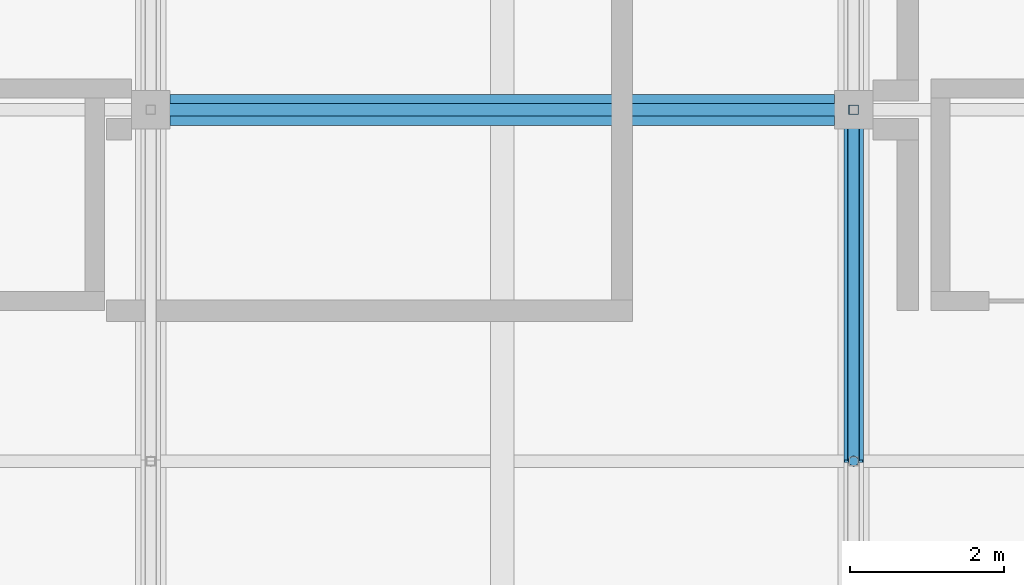
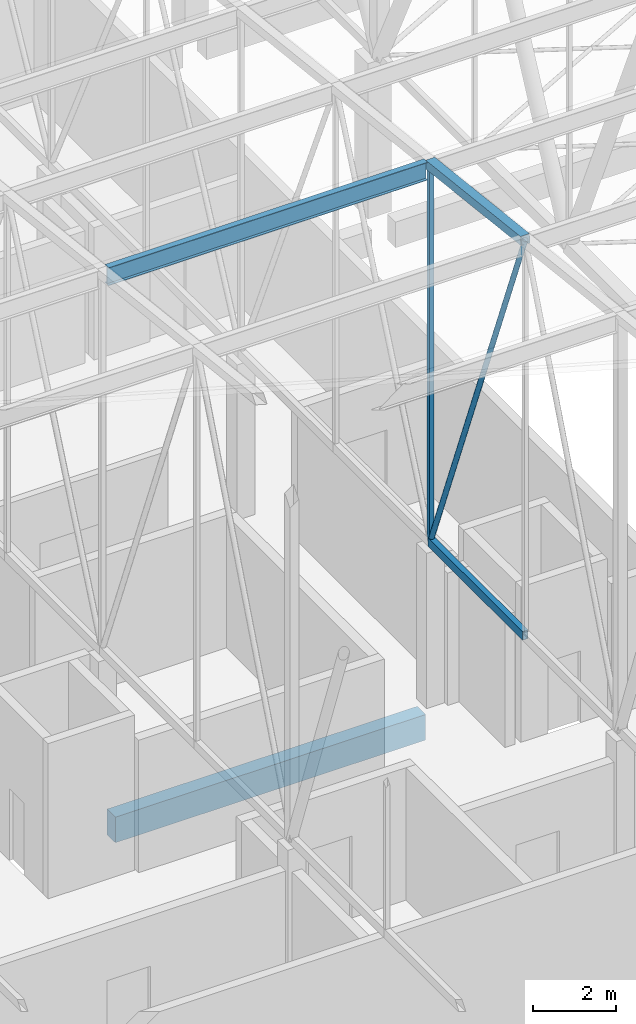
# One storey, part 212 of 500: 5 members, 1 beam.
"""IFC4 building model written with IfcOpenShell, lengths in metres."""

from ifc_helpers import new_model, si_unit, direction, frame, origin, origin_2d, place, context, subcontext, project, spatial, rectangle, hollow_rectangle, hollow_circle, i_section, extrude, material, material_profile, profile_set, type_object, element, save


model = new_model("IFC4")

# Units and contexts
model_context = context("Model", 3, precision=1e-05, world=origin(), true_north=direction((0.0, 1.0)))
body_context = subcontext(model_context, "Body", "Model", "MODEL_VIEW")
ifc_project = project(units=[si_unit("LENGTHUNIT", "METRE"), si_unit("AREAUNIT", "SQUARE_METRE"), si_unit("VOLUMEUNIT", "CUBIC_METRE"), si_unit("PLANEANGLEUNIT", "RADIAN"), si_unit("MASSUNIT", "GRAM", prefix="KILO")], contexts=[model_context])

# Site, building, storey
site_placement = place(None, origin())
site = spatial("IfcSite", under=ifc_project, at=site_placement, CompositionType="ELEMENT")
building_placement = place(site_placement, origin())
building = spatial("IfcBuilding", under=site, at=building_placement, Name="Shirokan Park Arena", CompositionType="ELEMENT")
storey_placement = place(building_placement, frame((0.0, 0.0, 29.1201171875)))
storey = spatial("IfcBuildingStorey", under=building, at=storey_placement, Name="L06", CompositionType="ELEMENT", Elevation=29.1201171875)

# Members
ifc_material_1 = material(Name="Steel ASTM A500 Grade C", Category="steel")
ifc_material_profile_1 = material_profile(ifc_material_1, hollow_rectangle(XDim=0.152099609375, YDim=0.25390625, WallThickness=0.009521484375, at=origin_2d()), Name="HSS254X152.4X9.5")
ifc_profile_set_1 = profile_set([ifc_material_profile_1], Name="Steel ASTM A500 Grade C")
member_type_1 = type_object("IfcMemberType", Name="Bottom chord HSS254X152.4X9.5", PredefinedType="CHORD", material=ifc_profile_set_1)
member_1_placement = place(storey_placement, frame((36.39990234375, 77.35009765625, 4.677001953125), z_axis=(0.0, 1.0, 0.0), x_axis=(-1.0, 0.0, 0.0)))
element("IfcMember", 1, at=member_1_placement, inside=storey, type_object=member_type_1, Name="Truss T05 bottom chord 20", PredefinedType="CHORD", context=body_context, shape_type="SweptSolid", body=[
    extrude(hollow_rectangle(XDim=0.152099609375, YDim=0.25390625, WallThickness=0.009521484375, at=origin_2d()), origin(), (0.0, 0.0, 1.0), 4.5498046875),
])
ifc_material_2 = material(Name="Steel ASTM A992", Category="steel")
ifc_material_profile_2 = material_profile(ifc_material_2, i_section(OverallWidth=0.166015625, OverallDepth=0.528076171875, WebThickness=0.009765625, FlangeThickness=0.013671875, at=origin_2d()), Name="W530X74")
ifc_profile_set_2 = profile_set([ifc_material_profile_2], Name="Steel ASTM A992")
member_type_2 = type_object("IfcMemberType", Name="Purlin W530X74", PredefinedType="PURLIN", material=ifc_profile_set_2)
member_2_placement = place(storey_placement, frame((27.427001953125, 81.89990234375, 15.60595703125), z_axis=(1.0, 0.0, 0.0), x_axis=(0.0, 1.0, 0.0)))
element("IfcMember", 2, at=member_2_placement, inside=storey, type_object=member_type_2, Name="Purlin 21 bay 4", PredefinedType="PURLIN", context=body_context, shape_type="SweptSolid", body=[
    extrude(i_section(OverallWidth=0.166015625, OverallDepth=0.528076171875, WebThickness=0.009765625, FlangeThickness=0.013671875, at=origin_2d()), origin(), (0.0, 0.0, 1.0), 8.845947265625),
])

# Beam
ifc_material_3 = material(Name="Concrete C35", Category="concrete")
ifc_material_profile_3 = material_profile(ifc_material_3, rectangle(XDim=0.39990234375, YDim=0.75, at=origin_2d()), Name="400x750")
ifc_profile_set_3 = profile_set([ifc_material_profile_3], Name="Concrete C35")
beam_type = type_object("IfcBeamType", Name="RC girder 400x750", PredefinedType="BEAM", material=ifc_profile_set_3)
beam_placement = place(storey_placement, frame((27.550048828125, 81.89990234375, -0.5751953125), z_axis=(1.0, 0.0, 0.0), x_axis=(0.0, 1.0, 0.0)))
element("IfcBeam", 3, at=beam_placement, inside=storey, type_object=beam_type, Name="Girder 4K-5K L06", PredefinedType="BEAM", context=body_context, shape_type="SweptSolid", body=[
    extrude(rectangle(XDim=0.39990234375, YDim=0.75, at=origin_2d()), origin(), (0.0, 0.0, 1.0), 8.599853515625),
])

# Members
ifc_material_profile_4 = material_profile(ifc_material_1, hollow_rectangle(XDim=0.25390625, YDim=0.25390625, WallThickness=0.009521484375, at=origin_2d()), Name="HSS254X254X9.5")
ifc_profile_set_4 = profile_set([ifc_material_profile_4], Name="Steel ASTM A500 Grade C")
member_type_3 = type_object("IfcMemberType", Name="Top chord HSS254X254X9.5", PredefinedType="CHORD", material=ifc_profile_set_4)
member_3_placement = place(storey_placement, frame((36.39990234375, 77.35009765625, 16.262939453125), z_axis=(0.0, 0.993531641592, -0.11355561261), x_axis=(-1.0, 0.0, 0.0)))
element("IfcMember", 4, at=member_3_placement, inside=storey, type_object=member_type_3, Name="Truss T05 top chord 20", PredefinedType="CHORD", context=body_context, shape_type="SweptSolid", body=[
    extrude(hollow_rectangle(XDim=0.25390625, YDim=0.25390625, WallThickness=0.009521484375, at=origin_2d()), origin(), (0.0, 0.0, 1.0), 4.579345703125),
])
ifc_material_profile_5 = material_profile(ifc_material_1, hollow_circle(Radius=0.070556640625, WallThickness=0.006591796875, at=origin_2d()), Name="HSS141.3X6.6")
ifc_profile_set_5 = profile_set([ifc_material_profile_5], Name="Steel ASTM A500 Grade C")
member_type_4 = type_object("IfcMemberType", Name="Truss diagonal HSS141.3X6.6", PredefinedType="BRACE", material=ifc_profile_set_5)
member_4_placement = place(storey_placement, frame((36.39990234375, 77.35009765625, 16.262939453125), z_axis=(0.0, 0.365526146051, -0.930801072493), x_axis=(-1.0, 0.0, 0.0)))
element("IfcMember", 5, at=member_4_placement, inside=storey, type_object=member_type_4, Name="Truss T05 diagonal 20", PredefinedType="BRACE", context=body_context, shape_type="SweptSolid", body=[
    extrude(hollow_circle(Radius=0.070556640625, WallThickness=0.006591796875, at=origin_2d()), origin(), (0.0, 0.0, 1.0), 12.447265625),
])
ifc_material_profile_6 = material_profile(ifc_material_1, hollow_rectangle(XDim=0.126953125, YDim=0.126953125, WallThickness=0.008056640625, at=origin_2d()), Name="HSS127X127X7.9")
ifc_profile_set_6 = profile_set([ifc_material_profile_6], Name="Steel ASTM A500 Grade C")
member_type_5 = type_object("IfcMemberType", Name="Truss post HSS127X127X7.9", PredefinedType="POST", material=ifc_profile_set_6)
member_5_placement = place(storey_placement, frame((36.39990234375, 81.89990234375, 4.677001953125), z_axis=(0.0, 0.0, 1.0), x_axis=(1.0, 0.0, 0.0)))
element("IfcMember", 6, at=member_5_placement, inside=storey, type_object=member_type_5, Name="Truss T05 post 21", PredefinedType="POST", context=body_context, shape_type="SweptSolid", body=[
    extrude(hollow_rectangle(XDim=0.126953125, YDim=0.126953125, WallThickness=0.008056640625, at=origin_2d()), origin(), (0.0, 0.0, 1.0), 11.06591796875),
])

save(model, "model.ifc")
